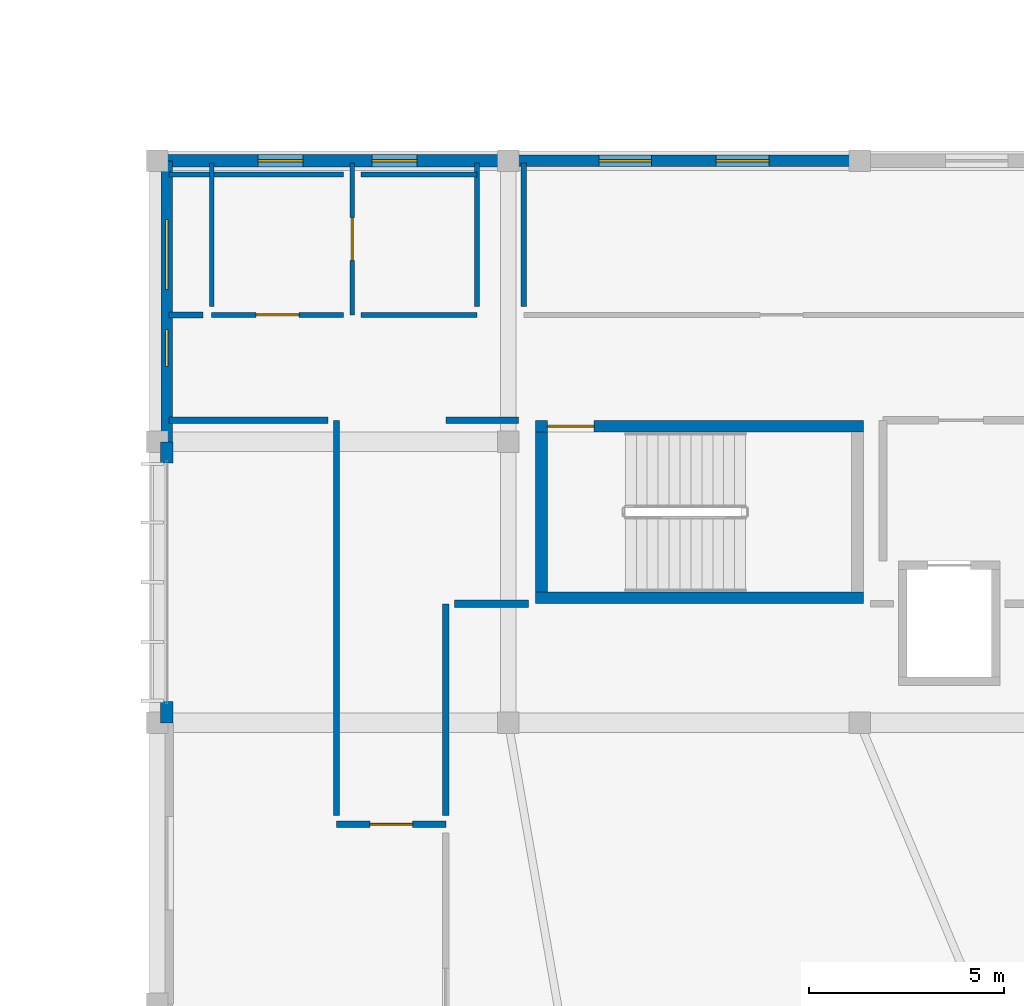
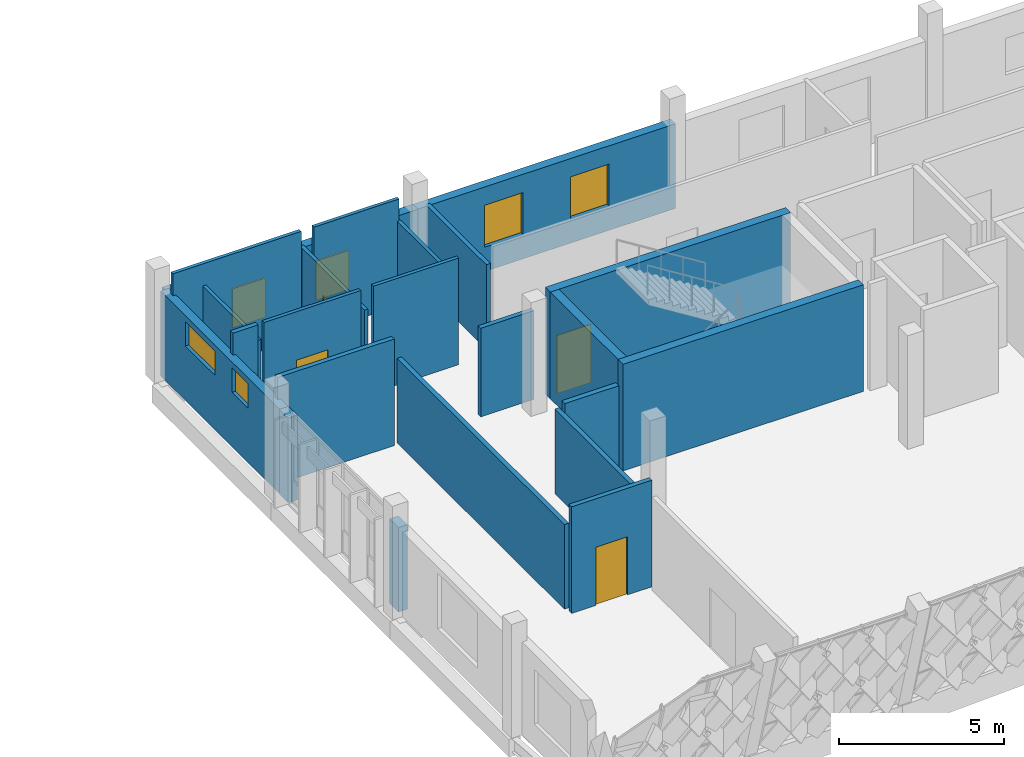
# One storey, part 82 of 94: 23 walls, 6 windows, 4 doors, 10 openings.
"""IFC4 building model written with IfcOpenShell, lengths in metres."""

import ifcopenshell
import ifcopenshell.guid

model = None  # the IFC model being written
_history = None  # IfcOwnerHistory: only IFC2X3 demands one
_inside = {}  # id of a spatial element -> (the spatial element, [elements in it])
_under = {}  # id of a project, library or spatial element -> (it, [spatial elements below it])
_declared = {}  # id of a project -> (the project, [libraries it declares])
_typed = {}  # id of a type object -> (the type object, [elements of that type])
_made_of = {}  # id of a material, layer set ... -> (it, [elements and type objects made of it])


def new_model(schema):
    """Start an empty IFC model of exactly this schema.

    Asked for "IFC4X3", IfcOpenShell would pick the latest addendum, in which some entities
    have other attributes; the version numbers below select the first issue.
    IFC2X3 requires an IfcOwnerHistory on every rooted entity: one is made here for all.
    """
    global model, _history
    if schema == "IFC4X3":
        model = ifcopenshell.file(schema_version=(4, 3, 0, 0))
    else:
        model = ifcopenshell.file(schema=schema)
    _inside.clear()
    _under.clear()
    _declared.clear()
    _typed.clear()
    _made_of.clear()
    _history = None
    if model.schema == "IFC2X3":
        org = make("IfcOrganization", Name="unknown")
        user = make(
            "IfcPersonAndOrganization",
            ThePerson=make("IfcPerson", FamilyName="unknown"),
            TheOrganization=org,
        )
        app = make(
            "IfcApplication",
            ApplicationDeveloper=org,
            Version="unknown",
            ApplicationFullName="unknown",
            ApplicationIdentifier="unknown",
        )
        _history = make(
            "IfcOwnerHistory",
            OwningUser=user,
            OwningApplication=app,
            ChangeAction="ADDED",
            CreationDate=0,
        )
    return model


def make(cls, **values):
    """One entity of the class cls with the attributes given. An attribute that is None is left unset."""
    return model.create_entity(
        cls, **{name: value for name, value in values.items() if value is not None}
    )


def rooted(cls, **values):
    """An entity with a GlobalId (a new one), such as an element, a storey or a relation."""
    return make(cls, GlobalId=ifcopenshell.guid.new(), OwnerHistory=_history, **values)


def si_unit(unit_type, name, prefix=None):
    """IfcSIUnit, for example si_unit("LENGTHUNIT", "METRE", prefix="MILLI")."""
    return make("IfcSIUnit", UnitType=unit_type, Prefix=prefix, Name=name)


def assignment(units):
    """IfcUnitAssignment: the units of a project."""
    return None if units is None else make("IfcUnitAssignment", Units=units)


def point(xyz):
    """IfcCartesianPoint."""
    return None if xyz is None else make("IfcCartesianPoint", Coordinates=xyz)


def direction(xyz):
    """IfcDirection."""
    return None if xyz is None else make("IfcDirection", DirectionRatios=xyz)


def frame(location, z_axis=None, x_axis=None):
    """IfcAxis2Placement3D, a coordinate frame: its origin and axes. An axis left out is left unset."""
    return make(
        "IfcAxis2Placement3D",
        Location=point(location),
        Axis=direction(z_axis),
        RefDirection=direction(x_axis),
    )


def frame_2d(location, x_axis=None):
    """IfcAxis2Placement2D, a coordinate frame in the plane: its origin and x axis."""
    return make(
        "IfcAxis2Placement2D", Location=point(location), RefDirection=direction(x_axis)
    )


def origin():
    """The frame at (0, 0, 0) with its axes left unset."""
    return frame((0.0, 0.0, 0.0))


def place(relative_to, where):
    """IfcLocalPlacement: puts the frame where relative to a parent placement (None: the world)."""
    return make(
        "IfcLocalPlacement", PlacementRelTo=relative_to, RelativePlacement=where
    )


def context(
    kind, dimensions, precision=None, world=None, true_north=None, identifier=None
):
    """IfcGeometricRepresentationContext, for example the 3D "Model" context."""
    return make(
        "IfcGeometricRepresentationContext",
        ContextIdentifier=identifier,
        ContextType=kind,
        CoordinateSpaceDimension=dimensions,
        Precision=precision,
        WorldCoordinateSystem=world,
        TrueNorth=true_north,
    )


def subcontext(parent, identifier, kind, view, scale=None):
    """IfcGeometricRepresentationSubContext, for example "Body" below "Model"."""
    return make(
        "IfcGeometricRepresentationSubContext",
        ContextIdentifier=identifier,
        ContextType=kind,
        ParentContext=parent,
        TargetScale=scale,
        TargetView=view,
    )


def project(units=None, contexts=None):
    """IfcProject with its units and contexts."""
    return rooted(
        "IfcProject",
        Name="project",
        RepresentationContexts=contexts,
        UnitsInContext=assignment(units),
    )


def spatial(cls, under=None, at=None, **own):
    """A site, building, storey or space (cls), placed at a placement, below another one or the project."""
    s = rooted(cls, ObjectPlacement=at, **own)
    if under is not None:
        _under.setdefault(under.id(), (under, []))[1].append(s)
    return s


def profile(cls, at=None, kind="AREA", **sizes):
    """A parametric profile (cls). Its sizes go by their IFC names, for example OverallWidth=200.0."""
    return make(cls, ProfileType=kind, Position=at, **sizes)


def rectangle(**sizes):
    """IfcRectangleProfileDef."""
    return profile("IfcRectangleProfileDef", **sizes)


def extrude(swept, where, along, depth):
    """IfcExtrudedAreaSolid: the profile swept, set in the frame where, extruded along a direction by depth."""
    return make(
        "IfcExtrudedAreaSolid",
        SweptArea=swept,
        Position=where,
        ExtrudedDirection=direction(along),
        Depth=depth,
    )


def shape(context_of_items, identifier, shape_type, items):
    """IfcShapeRepresentation: the items that make up one representation, for example the "Body"."""
    return make(
        "IfcShapeRepresentation",
        ContextOfItems=context_of_items,
        RepresentationIdentifier=identifier,
        RepresentationType=shape_type,
        Items=items,
    )


def material(Name=None, Category=None):
    """IfcMaterial."""
    return make("IfcMaterial", Name=Name, Category=Category)


def layer(
    of_material, thickness, ventilated=None, Name=None, Category=None, Priority=None
):
    """IfcMaterialLayer: one layer of a wall or slab, of a material (None: an air gap)."""
    return make(
        "IfcMaterialLayer",
        Material=of_material,
        LayerThickness=thickness,
        IsVentilated=ventilated,
        Name=Name,
        Category=Category,
        Priority=Priority,
    )


def layer_set(layers, Name=None):
    """IfcMaterialLayerSet."""
    return make("IfcMaterialLayerSet", MaterialLayers=layers, LayerSetName=Name)


def made_of(thing, what):
    """Note that an element or type object is made of a material, layer set ...; save() writes the relation."""
    if what is not None:
        _made_of.setdefault(what.id(), (what, []))[1].append(thing)
    return thing


def type_object(cls, material=None, **own):
    """A type object (cls), such as IfcWallType, which elements share."""
    return made_of(rooted(cls, **own), material)


def element(
    cls,
    number,
    at=None,
    inside=None,
    cuts=None,
    type_object=None,
    material=None,
    context=None,
    identifier="Body",
    shape_type=None,
    held_by="IfcProductDefinitionShape",
    body=None,
    shapes=None,
    **own,
):
    """One element of the class cls, such as IfcWall. Its Tag is "e" and its number.

    at: its placement. inside: the storey or other place that contains it. cuts: it is an
    opening in that element (IfcRelVoidsElement). A single representation is given by context,
    identifier, shape_type and body (its items); several are given by shapes. held_by: the class
    of the entity that holds the representations. save() writes the other relations.
    """
    e = rooted(cls, Tag="e%d" % number, ObjectPlacement=at, **own)
    if body is not None:
        shapes = [shape(context, identifier, shape_type, body)]
    if shapes is not None:
        e.Representation = make(held_by, Representations=shapes)
    if inside is not None:
        _inside.setdefault(inside.id(), (inside, []))[1].append(e)
    if cuts is not None:
        rooted(
            "IfcRelVoidsElement", RelatingBuildingElement=cuts, RelatedOpeningElement=e
        )
    if type_object is not None:
        _typed.setdefault(type_object.id(), (type_object, []))[1].append(e)
    return made_of(e, material)


def fill(opening, filler):
    """IfcRelFillsElement: the door or window that sits in an opening."""
    return rooted(
        "IfcRelFillsElement",
        RelatingOpeningElement=opening,
        RelatedBuildingElement=filler,
    )


def aggregate(whole, parts):
    """IfcRelAggregates: a whole, such as a stair, and the parts it consists of."""
    return rooted("IfcRelAggregates", RelatingObject=whole, RelatedObjects=parts)


def save(model, path):
    """Write the relations noted so far, then the file.

    IfcRelAggregates (storeys below a building ...), IfcRelContainedInSpatialStructure (elements
    in a storey), IfcRelDefinesByType, IfcRelAssociatesMaterial and IfcRelDeclares: one each for
    every whole, place, type object, material and project.
    """
    for whole, parts in _under.values():
        aggregate(whole, parts)
    for where, things in _inside.values():
        rooted(
            "IfcRelContainedInSpatialStructure",
            RelatedElements=things,
            RelatingStructure=where,
        )
    for kind, things in _typed.values():
        rooted("IfcRelDefinesByType", RelatedObjects=things, RelatingType=kind)
    for what, things in _made_of.values():
        rooted("IfcRelAssociatesMaterial", RelatedObjects=things, RelatingMaterial=what)
    for by, libraries in _declared.values():
        rooted("IfcRelDeclares", RelatingContext=by, RelatedDefinitions=libraries)
    model.write(path)


model = new_model("IFC4")

# Units and contexts
model_context = context("Model", 3, precision=1e-05, world=origin(), true_north=direction((0.0, 1.0)))
body_context = subcontext(model_context, "Body", "Model", "MODEL_VIEW")
ifc_project = project(units=[si_unit("LENGTHUNIT", "METRE"), si_unit("AREAUNIT", "SQUARE_METRE"), si_unit("VOLUMEUNIT", "CUBIC_METRE"), si_unit("PLANEANGLEUNIT", "RADIAN"), si_unit("MASSUNIT", "GRAM", prefix="KILO")], contexts=[model_context])

# Site, building, storey
site_placement = place(None, origin())
site = spatial("IfcSite", under=ifc_project, at=site_placement, CompositionType="ELEMENT")
building_placement = place(site_placement, origin())
building = spatial("IfcBuilding", under=site, at=building_placement, Name="Chiffa Square Polytechnic", CompositionType="ELEMENT")
storey_placement = place(building_placement, frame((0.0, 0.0, 18.0)))
storey = spatial("IfcBuildingStorey", under=building, at=storey_placement, Name="L04", CompositionType="ELEMENT", Elevation=18.0)

# Wall
ifc_material_1 = material(Name="Concrete C40/50", Category="concrete")
ifc_layer_1 = layer(ifc_material_1, 0.300048828125, Name="Concrete C40/50")
ifc_layer_set_1 = layer_set([ifc_layer_1], Name="Concrete C40/50")
wall_type_1 = type_object("IfcWallType", Name="WL-CORE-300", PredefinedType="SHEAR", material=ifc_layer_set_1)
wall_1_placement = place(storey_placement, frame((121.89990234375, 17.60009765625, 0.0), z_axis=(0.0, 0.0, 1.0), x_axis=(1.0, 0.0, 0.0)))
element("IfcWall", 1, at=wall_1_placement, inside=storey, type_object=wall_type_1, Name="Core or enclosure wall WC-CORE-V1A-L04-SOUTH", PredefinedType="SHEAR", context=body_context, shape_type="SweptSolid", body=[
    extrude(rectangle(XDim=8.400146484375, YDim=0.300048828125, at=frame_2d((4.2001953125, 0.0))), origin(), (0.0, 0.0, 1.0), 3.93994140625),
])

# Wall, opening, door
wall_2_placement = place(storey_placement, frame((121.89990234375, 22.0, 0.0), z_axis=(0.0, 0.0, 1.0), x_axis=(1.0, 0.0, 0.0)))
wall_2 = element("IfcWall", 2, at=wall_2_placement, inside=storey, type_object=wall_type_1, Name="Core or enclosure wall WC-CORE-V1A-L04-NORTH", PredefinedType="SHEAR", context=body_context, shape_type="SweptSolid", body=[
    extrude(rectangle(XDim=8.400146484375, YDim=0.300048828125, at=frame_2d((4.2001953125, 0.0))), origin(), (0.0, 0.0, 1.0), 3.93994140625),
])
opening_1_placement = place(wall_2_placement, frame((0.300048828125, 0.0, 0.0)))
opening_1 = element("IfcOpeningElement", 3, at=opening_1_placement, cuts=wall_2, Name="Opening DS-L04-006", PredefinedType="OPENING", context=body_context, shape_type="SweptSolid", body=[
    extrude(rectangle(XDim=1.199951171875, YDim=2.14990234375, at=frame_2d((0.60009765625, 1.074951171875))), frame((0.0, 0.16015625, 0.0), z_axis=(0.0, -1.0, 0.0), x_axis=(1.0, 0.0, 0.0)), (0.0, 0.0, 1.0), 0.320068359375),
])
ifc_material_2 = material(Name="Fire-rated painted steel leaf", Category="steel")
door_type_1 = type_object("IfcDoorType", Name="DR-STAIR-1200", OperationType="NOTDEFINED", PredefinedType="DOOR", material=ifc_material_2)
door_1_placement = place(opening_1_placement, origin())
door_1 = element("IfcDoor", 4, at=door_1_placement, inside=storey, type_object=door_type_1, Name="Enclosure door DS-L04-006", OperationType="SINGLE_SWING_RIGHT", OverallHeight=2.14990234375, OverallWidth=1.199951171875, PredefinedType="DOOR", context=body_context, shape_type="SweptSolid", body=[
    extrude(rectangle(XDim=1.199951171875, YDim=2.14990234375, at=frame_2d((0.60009765625, 1.074951171875))), frame((0.0, 0.02490234375, 0.0), z_axis=(0.0, -1.0, 0.0), x_axis=(1.0, 0.0, 0.0)), (0.0, 0.0, 1.0), 0.050048828125),
])
fill(opening_1, door_1)

# Wall
wall_3_placement = place(storey_placement, frame((122.050048828125, 17.75, 0.0), z_axis=(0.0, 0.0, 1.0), x_axis=(0.0, 1.0, 0.0)))
element("IfcWall", 5, at=wall_3_placement, inside=storey, type_object=wall_type_1, Name="Core or enclosure wall WC-CORE-V1A-L04-WEST", PredefinedType="SHEAR", context=body_context, shape_type="SweptSolid", body=[
    extrude(rectangle(XDim=4.10009765625, YDim=0.300048828125, at=frame_2d((2.050048828125, 0.0))), origin(), (0.0, 0.0, 1.0), 3.93994140625),
])

# Wall, openings, windows
ifc_material_3 = material(Name="Precast concrete C40/50", Category="concrete")
ifc_layer_2 = layer(ifc_material_3, 0.300048828125, Name="Precast concrete C40/50")
ifc_layer_set_2 = layer_set([ifc_layer_2], Name="Precast concrete C40/50")
wall_type_2 = type_object("IfcWallType", Name="WL-EXT-PC300", PredefinedType="SOLIDWALL", material=ifc_layer_set_2)
wall_4_placement = place(storey_placement, frame((130.199951171875, 28.800048828125, 0.0), z_axis=(0.0, 0.0, 1.0), x_axis=(-1.0, 0.0, 0.0)))
wall_4 = element("IfcWall", 6, at=wall_4_placement, inside=storey, type_object=wall_type_2, Name="Exterior wall WE-V1-L04-0066", PredefinedType="SOLIDWALL", context=body_context, shape_type="SweptSolid", body=[
    extrude(rectangle(XDim=9.0, YDim=0.300048828125, at=frame_2d((4.5, 0.0))), origin(), (0.0, 0.0, 1.0), 3.125),
])
opening_2_placement = place(wall_4_placement, frame((2.324951171875, 0.0, 0.89990234375)))
opening_2 = element("IfcOpeningElement", 7, at=opening_2_placement, cuts=wall_4, Name="Opening W-17", PredefinedType="OPENING", context=body_context, shape_type="SweptSolid", body=[
    extrude(rectangle(XDim=1.35009765625, YDim=1.550048828125, at=frame_2d((0.675048828125, 0.77490234375))), frame((0.0, 0.16015625, 0.0), z_axis=(0.0, -1.0, 0.0), x_axis=(1.0, 0.0, 0.0)), (0.0, 0.0, 1.0), 0.320068359375),
])
opening_3_placement = place(wall_4_placement, frame((5.324951171875, 0.0, 0.89990234375)))
opening_3 = element("IfcOpeningElement", 8, at=opening_3_placement, cuts=wall_4, Name="Opening W-17", PredefinedType="OPENING", context=body_context, shape_type="SweptSolid", body=[
    extrude(rectangle(XDim=1.35009765625, YDim=1.550048828125, at=frame_2d((0.675048828125, 0.77490234375))), frame((0.0, 0.16015625, 0.0), z_axis=(0.0, -1.0, 0.0), x_axis=(1.0, 0.0, 0.0)), (0.0, 0.0, 1.0), 0.320068359375),
])
ifc_material_4 = material(Name="Double glazing in thermally broken aluminium frame", Category="aluminium")
window_type_1 = type_object("IfcWindowType", Name="WIN-OFF-1350X1550", PartitioningType="DOUBLE_PANEL_VERTICAL", PredefinedType="WINDOW", material=ifc_material_4)
window_1_placement = place(opening_2_placement, origin())
window_1 = element("IfcWindow", 9, at=window_1_placement, inside=storey, type_object=window_type_1, Name="Facade window WN-L04-0066", OverallHeight=1.550048828125, OverallWidth=1.35009765625, PartitioningType="DOUBLE_PANEL_VERTICAL", PredefinedType="WINDOW", context=body_context, shape_type="SweptSolid", body=[
    extrude(rectangle(XDim=1.35009765625, YDim=1.550048828125, at=frame_2d((0.675048828125, 0.77490234375))), frame((0.0, 0.030029296875, 0.0), z_axis=(0.0, -1.0, 0.0), x_axis=(1.0, 0.0, 0.0)), (0.0, 0.0, 1.0), 0.06005859375),
])
fill(opening_2, window_1)
window_2_placement = place(opening_3_placement, origin())
window_2 = element("IfcWindow", 10, at=window_2_placement, inside=storey, type_object=window_type_1, Name="Facade window WN-L04-0067", OverallHeight=1.550048828125, OverallWidth=1.35009765625, PartitioningType="DOUBLE_PANEL_VERTICAL", PredefinedType="WINDOW", context=body_context, shape_type="SweptSolid", body=[
    extrude(rectangle(XDim=1.35009765625, YDim=1.550048828125, at=frame_2d((0.675048828125, 0.77490234375))), frame((0.0, 0.030029296875, 0.0), z_axis=(0.0, -1.0, 0.0), x_axis=(1.0, 0.0, 0.0)), (0.0, 0.0, 1.0), 0.06005859375),
])
fill(opening_3, window_2)

wall_5_placement = place(storey_placement, frame((112.449951171875, 28.800048828125, 0.0), z_axis=(0.0, 0.0, 1.0), x_axis=(0.0, -1.0, 0.0)))
wall_5 = element("IfcWall", 11, at=wall_5_placement, inside=storey, type_object=wall_type_2, Name="Exterior wall WE-V1-L04-0068", PredefinedType="SOLIDWALL", context=body_context, shape_type="SweptSolid", body=[
    extrude(rectangle(XDim=7.199951171875, YDim=0.300048828125, at=frame_2d((3.60009765625, 0.0))), origin(), (0.0, 0.0, 1.0), 3.125),
])
opening_4_placement = place(wall_5_placement, frame((1.5, 0.0, 2.0048828125)))
opening_4 = element("IfcOpeningElement", 12, at=opening_4_placement, cuts=wall_5, Name="Opening WCL-05", PredefinedType="OPENING", context=body_context, shape_type="SweptSolid", body=[
    extrude(rectangle(XDim=1.800048828125, YDim=0.89990234375, at=frame_2d((0.89990234375, 0.449951171875))), frame((0.0, 0.16015625, 0.0), z_axis=(0.0, -1.0, 0.0), x_axis=(1.0, 0.0, 0.0)), (0.0, 0.0, 1.0), 0.320068359375),
])
opening_5_placement = place(wall_5_placement, frame((4.324951171875, 0.0, 2.0048828125)))
opening_5 = element("IfcOpeningElement", 13, at=opening_5_placement, cuts=wall_5, Name="Opening W-30", PredefinedType="OPENING", context=body_context, shape_type="SweptSolid", body=[
    extrude(rectangle(XDim=0.949951171875, YDim=0.89990234375, at=frame_2d((0.47509765625, 0.449951171875))), frame((0.0, 0.16015625, 0.0), z_axis=(0.0, -1.0, 0.0), x_axis=(1.0, 0.0, 0.0)), (0.0, 0.0, 1.0), 0.320068359375),
])
window_type_2 = type_object("IfcWindowType", Name="WIN-CLR-1800X0900", PartitioningType="DOUBLE_PANEL_VERTICAL", PredefinedType="WINDOW", material=ifc_material_4)
window_3_placement = place(opening_4_placement, origin())
window_3 = element("IfcWindow", 14, at=window_3_placement, inside=storey, type_object=window_type_2, Name="Facade window WN-L04-0070", OverallHeight=0.89990234375, OverallWidth=1.800048828125, PartitioningType="DOUBLE_PANEL_VERTICAL", PredefinedType="WINDOW", context=body_context, shape_type="SweptSolid", body=[
    extrude(rectangle(XDim=1.800048828125, YDim=0.89990234375, at=frame_2d((0.89990234375, 0.449951171875))), frame((0.0, 0.030029296875, 0.0), z_axis=(0.0, -1.0, 0.0), x_axis=(1.0, 0.0, 0.0)), (0.0, 0.0, 1.0), 0.06005859375),
])
fill(opening_4, window_3)
window_type_3 = type_object("IfcWindowType", Name="WIN-OFF-0950X0900", PartitioningType="DOUBLE_PANEL_VERTICAL", PredefinedType="WINDOW", material=ifc_material_4)
window_4_placement = place(opening_5_placement, origin())
window_4 = element("IfcWindow", 15, at=window_4_placement, inside=storey, type_object=window_type_3, Name="Facade window WN-L04-0071", OverallHeight=0.89990234375, OverallWidth=0.949951171875, PartitioningType="DOUBLE_PANEL_VERTICAL", PredefinedType="WINDOW", context=body_context, shape_type="SweptSolid", body=[
    extrude(rectangle(XDim=0.949951171875, YDim=0.89990234375, at=frame_2d((0.47509765625, 0.449951171875))), frame((0.0, 0.030029296875, 0.0), z_axis=(0.0, -1.0, 0.0), x_axis=(1.0, 0.0, 0.0)), (0.0, 0.0, 1.0), 0.06005859375),
])
fill(opening_5, window_4)

ifc_layer_3 = layer(ifc_material_3, 0.320068359375, Name="Precast concrete C40/50")
ifc_layer_set_3 = layer_set([ifc_layer_3], Name="Precast concrete C40/50")
wall_type_3 = type_object("IfcWallType", Name="WL-EXT-PC320", PredefinedType="SOLIDWALL", material=ifc_layer_set_3)
wall_6_placement = place(storey_placement, frame((121.199951171875, 28.800048828125, 0.0), z_axis=(0.0, 0.0, 1.0), x_axis=(-1.0, 0.0, 0.0)))
wall_6 = element("IfcWall", 16, at=wall_6_placement, inside=storey, type_object=wall_type_3, Name="Exterior wall WE-V1-L04-0067", PredefinedType="SOLIDWALL", context=body_context, shape_type="SweptSolid", body=[
    extrude(rectangle(XDim=8.75, YDim=0.320068359375, at=frame_2d((4.375, 0.0))), origin(), (0.0, 0.0, 1.0), 3.125),
])
opening_6_placement = place(wall_6_placement, frame((2.342041015625, 0.0, 0.89990234375)))
opening_6 = element("IfcOpeningElement", 17, at=opening_6_placement, cuts=wall_6, Name="Opening W-19", PredefinedType="OPENING", context=body_context, shape_type="SweptSolid", body=[
    extrude(rectangle(XDim=1.14990234375, YDim=1.449951171875, at=frame_2d((0.574951171875, 0.72509765625))), frame((0.0, 0.169921875, 0.0), z_axis=(0.0, -1.0, 0.0), x_axis=(1.0, 0.0, 0.0)), (0.0, 0.0, 1.0), 0.340087890625),
])
opening_7_placement = place(wall_6_placement, frame((5.258056640625, 0.0, 0.89990234375)))
opening_7 = element("IfcOpeningElement", 18, at=opening_7_placement, cuts=wall_6, Name="Opening W-19", PredefinedType="OPENING", context=body_context, shape_type="SweptSolid", body=[
    extrude(rectangle(XDim=1.14990234375, YDim=1.449951171875, at=frame_2d((0.574951171875, 0.72509765625))), frame((0.0, 0.169921875, 0.0), z_axis=(0.0, -1.0, 0.0), x_axis=(1.0, 0.0, 0.0)), (0.0, 0.0, 1.0), 0.340087890625),
])
window_type_4 = type_object("IfcWindowType", Name="WIN-OFF-1150X1450", PartitioningType="DOUBLE_PANEL_VERTICAL", PredefinedType="WINDOW", material=ifc_material_4)
window_5_placement = place(opening_6_placement, origin())
window_5 = element("IfcWindow", 19, at=window_5_placement, inside=storey, type_object=window_type_4, Name="Facade window WN-L04-0068", OverallHeight=1.449951171875, OverallWidth=1.14990234375, PartitioningType="DOUBLE_PANEL_VERTICAL", PredefinedType="WINDOW", context=body_context, shape_type="SweptSolid", body=[
    extrude(rectangle(XDim=1.14990234375, YDim=1.449951171875, at=frame_2d((0.574951171875, 0.72509765625))), frame((0.0, 0.030029296875, 0.0), z_axis=(0.0, -1.0, 0.0), x_axis=(1.0, 0.0, 0.0)), (0.0, 0.0, 1.0), 0.06005859375),
])
fill(opening_6, window_5)
window_6_placement = place(opening_7_placement, origin())
window_6 = element("IfcWindow", 20, at=window_6_placement, inside=storey, type_object=window_type_4, Name="Facade window WN-L04-0069", OverallHeight=1.449951171875, OverallWidth=1.14990234375, PartitioningType="DOUBLE_PANEL_VERTICAL", PredefinedType="WINDOW", context=body_context, shape_type="SweptSolid", body=[
    extrude(rectangle(XDim=1.14990234375, YDim=1.449951171875, at=frame_2d((0.574951171875, 0.72509765625))), frame((0.0, 0.030029296875, 0.0), z_axis=(0.0, -1.0, 0.0), x_axis=(1.0, 0.0, 0.0)), (0.0, 0.0, 1.0), 0.06005859375),
])
fill(opening_7, window_6)

# Walls
for number, where, z_axis, x_axis, name in (
    (21, (112.449951171875, 21.60009765625, 0.0), (0.0, 0.0, 1.0), (0.0, -1.0, 0.0), "Facade column pier V1-L04-0069L"),
    (22, (112.449951171875, 14.93994140625, 0.0), (0.0, 0.0, 1.0), (0.0, -1.0, 0.0), "Facade column pier V1-L04-0069R"),
):
    element("IfcWall", number, at=place(storey_placement, frame(where, z_axis=z_axis, x_axis=x_axis)), inside=storey, type_object=wall_type_3, Name=name, PredefinedType="SOLIDWALL", context=body_context, shape_type="SweptSolid", body=[
        extrude(rectangle(XDim=0.5400390625, YDim=0.320068359375, at=frame_2d((0.27001953125, 0.0))), origin(), (0.0, 0.0, 1.0), 3.125),
    ])
ifc_material_5 = material(Name="Gypsum board on steel stud", Category="steel")
ifc_layer_4 = layer(ifc_material_5, 0.14501953125, Name="Gypsum board on steel stud")
ifc_layer_set_4 = layer_set([ifc_layer_4], Name="Gypsum board on steel stud")
wall_type_4 = type_object("IfcWallType", Name="WL-PART-145", PredefinedType="PARTITIONING", material=ifc_layer_set_4)
wall_7_placement = place(storey_placement, frame((121.60009765625, 25.070068359375, 0.0), z_axis=(0.0, 0.0, 1.0), x_axis=(0.0, 1.0, 0.0)))
element("IfcWall", 23, at=wall_7_placement, inside=storey, type_object=wall_type_4, Name="Interior partition WP-V1-L04-0615", PredefinedType="PARTITIONING", context=body_context, shape_type="SweptSolid", body=[
    extrude(rectangle(XDim=3.675048828125, YDim=0.14501953125, at=frame_2d((1.83740234375, 0.0))), origin(), (0.0, 0.0, 1.0), 3.125),
])

# Wall, opening, door
ifc_material_6 = material(Name="Gypsum board on acoustic steel stud", Category="steel")
ifc_layer_5 = layer(ifc_material_6, 0.159912109375, Name="Gypsum board on acoustic steel stud")
ifc_layer_set_5 = layer_set([ifc_layer_5], Name="Gypsum board on acoustic steel stud")
wall_type_5 = type_object("IfcWallType", Name="WL-PART-EI60-160", PredefinedType="PARTITIONING", material=ifc_layer_set_5)
wall_8_placement = place(storey_placement, frame((116.800048828125, 11.800048828125, 0.0), z_axis=(0.0, 0.0, 1.0), x_axis=(1.0, 0.0, 0.0)))
wall_8 = element("IfcWall", 24, at=wall_8_placement, inside=storey, type_object=wall_type_5, Name="Interior partition WP-V1-L04-0622", PredefinedType="PARTITIONING", context=body_context, shape_type="SweptSolid", body=[
    extrude(rectangle(XDim=2.800048828125, YDim=0.159912109375, at=frame_2d((1.39990234375, 0.0))), origin(), (0.0, 0.0, 1.0), 3.93994140625),
])
opening_8_placement = place(wall_8_placement, frame((0.85009765625, 0.0, 0.0)))
opening_8 = element("IfcOpeningElement", 25, at=opening_8_placement, cuts=wall_8, Name="Opening DI-L04-221", PredefinedType="OPENING", context=body_context, shape_type="SweptSolid", body=[
    extrude(rectangle(XDim=1.10009765625, YDim=2.14990234375, at=frame_2d((0.550048828125, 1.074951171875))), frame((0.0, 0.08984375, 0.0), z_axis=(0.0, -1.0, 0.0), x_axis=(1.0, 0.0, 0.0)), (0.0, 0.0, 1.0), 0.179931640625),
])
ifc_material_7 = material(Name="Solid core ash veneer door")
door_type_2 = type_object("IfcDoorType", Name="DR-INT-1100", OperationType="NOTDEFINED", PredefinedType="DOOR", material=ifc_material_7)
door_2_placement = place(opening_8_placement, origin())
door_2 = element("IfcDoor", 26, at=door_2_placement, inside=storey, type_object=door_type_2, Name="Interior room door DI-L04-221", OperationType="SINGLE_SWING_RIGHT", OverallHeight=2.14990234375, OverallWidth=1.10009765625, PredefinedType="DOOR", context=body_context, shape_type="SweptSolid", body=[
    extrude(rectangle(XDim=1.10009765625, YDim=2.14990234375, at=frame_2d((0.550048828125, 1.074951171875))), frame((0.0, 0.02490234375, 0.0), z_axis=(0.0, -1.0, 0.0), x_axis=(1.0, 0.0, 0.0)), (0.0, 0.0, 1.0), 0.050048828125),
])
fill(opening_8, door_2)

# Walls
wall_9_placement = place(storey_placement, frame((116.800048828125, 12.02001953125, 0.0), z_axis=(0.0, 0.0, 1.0), x_axis=(0.0, 1.0, 0.0)))
element("IfcWall", 27, at=wall_9_placement, inside=storey, type_object=wall_type_5, Name="Interior partition WP-V1-L04-0623", PredefinedType="PARTITIONING", context=body_context, shape_type="SweptSolid", body=[
    extrude(rectangle(XDim=10.1298828125, YDim=0.159912109375, at=frame_2d((5.06494140625, 0.0))), origin(), (0.0, 0.0, 1.0), 3.125),
])
wall_10_placement = place(storey_placement, frame((112.5048828125, 22.14990234375, 0.0), z_axis=(0.0, 0.0, 1.0), x_axis=(1.0, 0.0, 0.0)))
element("IfcWall", 28, at=wall_10_placement, inside=storey, type_object=wall_type_5, Name="Interior partition WP-V1-L04-0624", PredefinedType="PARTITIONING", context=body_context, shape_type="SweptSolid", body=[
    extrude(rectangle(XDim=4.0751953125, YDim=0.159912109375, at=frame_2d((2.03759765625, 0.0))), origin(), (0.0, 0.0, 1.0), 3.93994140625),
])
wall_11_placement = place(storey_placement, frame((119.60009765625, 12.02001953125, 0.0), z_axis=(0.0, 0.0, 1.0), x_axis=(0.0, 1.0, 0.0)))
element("IfcWall", 29, at=wall_11_placement, inside=storey, type_object=wall_type_5, Name="Interior partition WP-V1-L04-0643", PredefinedType="PARTITIONING", context=body_context, shape_type="SweptSolid", body=[
    extrude(rectangle(XDim=5.429931640625, YDim=0.159912109375, at=frame_2d((2.71484375, 0.0))), origin(), (0.0, 0.0, 1.0), 3.125),
])
wall_12_placement = place(storey_placement, frame((119.60009765625, 22.14990234375, 0.0), z_axis=(0.0, 0.0, 1.0), x_axis=(1.0, 0.0, 0.0)))
element("IfcWall", 30, at=wall_12_placement, inside=storey, type_object=wall_type_5, Name="Interior partition WP-V1-L04-0666", PredefinedType="PARTITIONING", context=body_context, shape_type="SweptSolid", body=[
    extrude(rectangle(XDim=1.85888671875, YDim=0.159912109375, at=frame_2d((0.929443359375, 0.0))), origin(), (0.0, 0.0, 1.0), 3.27490234375),
])
wall_13_placement = place(storey_placement, frame((112.5048828125, 24.85009765625, 0.0), z_axis=(0.0, 0.0, 1.0), x_axis=(1.0, 0.0, 0.0)))
element("IfcWall", 31, at=wall_13_placement, inside=storey, type_object=wall_type_5, Name="Interior partition WP-V1-L04-0667", PredefinedType="PARTITIONING", context=body_context, shape_type="SweptSolid", body=[
    extrude(rectangle(XDim=0.875, YDim=0.159912109375, at=frame_2d((0.4375, 0.0))), origin(), (0.0, 0.0, 1.0), 3.93994140625),
])
ifc_material_8 = material(Name="Gypsum board on twin steel stud", Category="steel")
ifc_layer_6 = layer(ifc_material_8, 0.18505859375, Name="Gypsum board on twin steel stud")
ifc_layer_set_6 = layer_set([ifc_layer_6], Name="Gypsum board on twin steel stud")
wall_type_6 = type_object("IfcWallType", Name="WL-PART-EI90-185", PredefinedType="PARTITIONING", material=ifc_layer_set_6)
wall_14_placement = place(storey_placement, frame((119.820068359375, 17.449951171875, 0.0), z_axis=(0.0, 0.0, 1.0), x_axis=(1.0, 0.0, 0.0)))
element("IfcWall", 32, at=wall_14_placement, inside=storey, type_object=wall_type_6, Name="Interior partition WP-V1-L04-0644", PredefinedType="PARTITIONING", context=body_context, shape_type="SweptSolid", body=[
    extrude(rectangle(XDim=1.892822265625, YDim=0.18505859375, at=frame_2d((0.9462890625, 0.0))), origin(), (0.0, 0.0, 1.0), 3.27490234375),
])

# Wall, opening, door
ifc_material_9 = material(Name="Moisture-resistant board partition")
ifc_layer_7 = layer(ifc_material_9, 0.1201171875, Name="Moisture-resistant board partition")
ifc_layer_set_7 = layer_set([ifc_layer_7], Name="Moisture-resistant board partition")
wall_type_7 = type_object("IfcWallType", Name="WL-PART-WC-120", PredefinedType="PARTITIONING", material=ifc_layer_set_7)
wall_15_placement = place(storey_placement, frame((117.199951171875, 24.85009765625, 0.0), z_axis=(0.0, 0.0, 1.0), x_axis=(0.0, 1.0, 0.0)))
wall_15 = element("IfcWall", 33, at=wall_15_placement, inside=storey, type_object=wall_type_7, Name="Interior partition WP-V1-L04-0600", PredefinedType="PARTITIONING", context=body_context, shape_type="SweptSolid", body=[
    extrude(rectangle(XDim=3.89501953125, YDim=0.1201171875, at=frame_2d((1.947509765625, 0.0))), origin(), (0.0, 0.0, 1.0), 3.125),
])
opening_9_placement = place(wall_15_placement, frame((1.39697265625, 0.0, 0.0)))
opening_9 = element("IfcOpeningElement", 34, at=opening_9_placement, cuts=wall_15, Name="Opening DI-L04-213", PredefinedType="OPENING", context=body_context, shape_type="SweptSolid", body=[
    extrude(rectangle(XDim=1.10009765625, YDim=2.14990234375, at=frame_2d((0.550048828125, 1.074951171875))), frame((0.0, 0.070068359375, 0.0), z_axis=(0.0, -1.0, 0.0), x_axis=(1.0, 0.0, 0.0)), (0.0, 0.0, 1.0), 0.14013671875),
])
door_3_placement = place(opening_9_placement, origin())
door_3 = element("IfcDoor", 35, at=door_3_placement, inside=storey, type_object=door_type_2, Name="Interior room door DI-L04-213", OperationType="SINGLE_SWING_LEFT", OverallHeight=2.14990234375, OverallWidth=1.10009765625, PredefinedType="DOOR", context=body_context, shape_type="SweptSolid", body=[
    extrude(rectangle(XDim=1.10009765625, YDim=2.14990234375, at=frame_2d((0.550048828125, 1.074951171875))), frame((0.0, 0.02490234375, 0.0), z_axis=(0.0, -1.0, 0.0), x_axis=(1.0, 0.0, 0.0)), (0.0, 0.0, 1.0), 0.050048828125),
])
fill(opening_9, door_3)

# Walls
for number, where, z_axis, x_axis, name in (
    (36, (117.419921875, 24.85009765625, 0.0), (0.0, 0.0, 1.0), (1.0, 0.0, 0.0), "Interior partition WP-V1-L04-0601"),
    (37, (117.419921875, 28.449951171875, 0.0), (0.0, 0.0, 1.0), (1.0, 0.0, 0.0), "Interior partition WP-V1-L04-0602"),
):
    element("IfcWall", number, at=place(storey_placement, frame(where, z_axis=z_axis, x_axis=x_axis)), inside=storey, type_object=wall_type_7, Name=name, PredefinedType="PARTITIONING", context=body_context, shape_type="SweptSolid", body=[
        extrude(rectangle(XDim=2.97998046875, YDim=0.1201171875, at=frame_2d((1.489990234375, 0.0))), origin(), (0.0, 0.0, 1.0), 3.93994140625),
    ])
wall_16_placement = place(storey_placement, frame((120.39990234375, 25.070068359375, 0.0), z_axis=(0.0, 0.0, 1.0), x_axis=(0.0, 1.0, 0.0)))
element("IfcWall", 38, at=wall_16_placement, inside=storey, type_object=wall_type_7, Name="Interior partition WP-V1-L04-0603", PredefinedType="PARTITIONING", context=body_context, shape_type="SweptSolid", body=[
    extrude(rectangle(XDim=3.675048828125, YDim=0.1201171875, at=frame_2d((1.83740234375, 0.0))), origin(), (0.0, 0.0, 1.0), 3.125),
])
wall_17_placement = place(storey_placement, frame((112.5048828125, 28.449951171875, 0.0), z_axis=(0.0, 0.0, 1.0), x_axis=(1.0, 0.0, 0.0)))
element("IfcWall", 39, at=wall_17_placement, inside=storey, type_object=wall_type_7, Name="Interior partition WP-V1-L04-0608", PredefinedType="PARTITIONING", context=body_context, shape_type="SweptSolid", body=[
    extrude(rectangle(XDim=4.47509765625, YDim=0.1201171875, at=frame_2d((2.237548828125, 0.0))), origin(), (0.0, 0.0, 1.0), 3.93994140625),
])

# Wall, opening, door
wall_18_placement = place(storey_placement, frame((113.60009765625, 24.85009765625, 0.0), z_axis=(0.0, 0.0, 1.0), x_axis=(1.0, 0.0, 0.0)))
wall_18 = element("IfcWall", 40, at=wall_18_placement, inside=storey, type_object=wall_type_7, Name="Interior partition WP-V1-L04-0609", PredefinedType="PARTITIONING", context=body_context, shape_type="SweptSolid", body=[
    extrude(rectangle(XDim=3.3798828125, YDim=0.1201171875, at=frame_2d((1.68994140625, 0.0))), origin(), (0.0, 0.0, 1.0), 3.93994140625),
])
opening_10_placement = place(wall_18_placement, frame((1.139892578125, 0.0, 0.0)))
opening_10 = element("IfcOpeningElement", 41, at=opening_10_placement, cuts=wall_18, Name="Opening DI-L04-215", PredefinedType="OPENING", context=body_context, shape_type="SweptSolid", body=[
    extrude(rectangle(XDim=1.10009765625, YDim=2.14990234375, at=frame_2d((0.550048828125, 1.074951171875))), frame((0.0, 0.070068359375, 0.0), z_axis=(0.0, -1.0, 0.0), x_axis=(1.0, 0.0, 0.0)), (0.0, 0.0, 1.0), 0.14013671875),
])
door_4_placement = place(opening_10_placement, origin())
door_4 = element("IfcDoor", 42, at=door_4_placement, inside=storey, type_object=door_type_2, Name="Interior room door DI-L04-215", OperationType="SINGLE_SWING_RIGHT", OverallHeight=2.14990234375, OverallWidth=1.10009765625, PredefinedType="DOOR", context=body_context, shape_type="SweptSolid", body=[
    extrude(rectangle(XDim=1.10009765625, YDim=2.14990234375, at=frame_2d((0.550048828125, 1.074951171875))), frame((0.0, 0.02490234375, 0.0), z_axis=(0.0, -1.0, 0.0), x_axis=(1.0, 0.0, 0.0)), (0.0, 0.0, 1.0), 0.050048828125),
])
fill(opening_10, door_4)

# Wall
wall_19_placement = place(storey_placement, frame((113.60009765625, 25.070068359375, 0.0), z_axis=(0.0, 0.0, 1.0), x_axis=(0.0, 1.0, 0.0)))
element("IfcWall", 43, at=wall_19_placement, inside=storey, type_object=wall_type_7, Name="Interior partition WP-V1-L04-0610", PredefinedType="PARTITIONING", context=body_context, shape_type="SweptSolid", body=[
    extrude(rectangle(XDim=3.675048828125, YDim=0.1201171875, at=frame_2d((1.83740234375, 0.0))), origin(), (0.0, 0.0, 1.0), 3.125),
])

save(model, "model.ifc")
